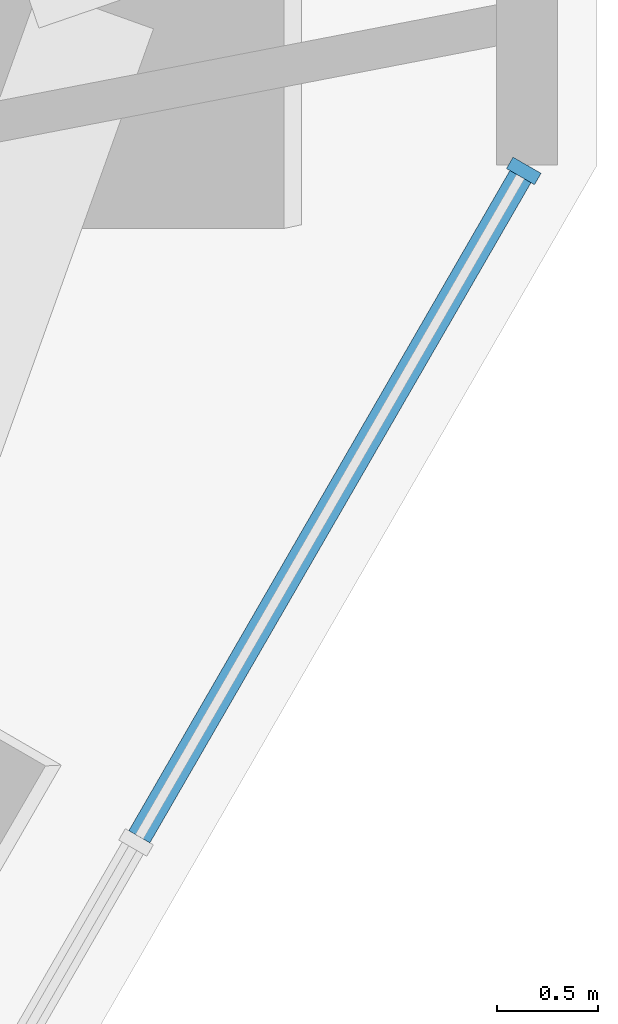
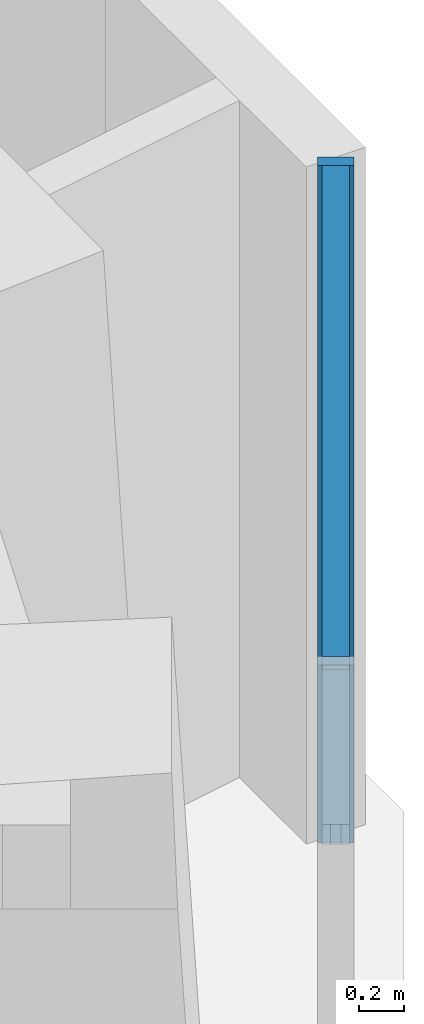
# One storey, part 6 of 17: 2 members, 1 element without a shape of its own.
"""IFC4 building model written with IfcOpenShell, lengths in metres."""

from ifc_helpers import new_model, si_unit, direction, frame, origin, origin_2d, place, context, subcontext, project, spatial, rectangle, extrude, material, material_profile, profile_set, type_object, element, aggregate, save


model = new_model("IFC4")

# Units and contexts
model_context = context("Model", 3, precision=1e-05, world=origin(), true_north=direction((0.0, 1.0)))
body_context = subcontext(model_context, "Body", "Model", "MODEL_VIEW")
ifc_project = project(units=[si_unit("LENGTHUNIT", "METRE"), si_unit("AREAUNIT", "SQUARE_METRE"), si_unit("VOLUMEUNIT", "CUBIC_METRE"), si_unit("PLANEANGLEUNIT", "RADIAN"), si_unit("MASSUNIT", "GRAM", prefix="KILO")], contexts=[model_context])

# Site, building, storey
site_placement = place(None, origin())
site = spatial("IfcSite", under=ifc_project, at=site_placement, CompositionType="ELEMENT")
building_placement = place(site_placement, origin())
building = spatial("IfcBuilding", under=site, at=building_placement, Name="Sandreach Pilgrim Tower", CompositionType="ELEMENT")
storey_placement = place(building_placement, frame((0.0, 0.0, 232.60009765625)))
storey = spatial("IfcBuildingStorey", under=building, at=storey_placement, Name="L58", CompositionType="ELEMENT", Elevation=232.60009765625)

# Curtain wall, members
ifc_material_1 = material(Name="Aluminium framed curtain wall", Category="aluminium")
curtain_wall_type = type_object("IfcCurtainWallType", Name="Upper hotel tower curtain wall", PredefinedType="NOTDEFINED", material=ifc_material_1)
curtain_wall_placement = place(storey_placement, origin())
curtain_wall = element("IfcCurtainWall", 1, at=curtain_wall_placement, inside=storey, type_object=curtain_wall_type, Name="CW-3 L58 SE", PredefinedType="NOTDEFINED")
ifc_material_2 = material(Name="Aluminium extrusion", Category="aluminium")
ifc_material_profile_1 = material_profile(ifc_material_2, rectangle(XDim=0.06494140625, YDim=0.159912109375, at=origin_2d()), Name="CW-3M 65X160")
ifc_profile_set_1 = profile_set([ifc_material_profile_1], Name="Aluminium extrusion")
member_type_1 = type_object("IfcMemberType", Name="CW-3 mullion", PredefinedType="MULLION", material=ifc_profile_set_1)
member_1_placement = place(storey_placement, frame((27.00390625, 4.451904296875, 0.0), z_axis=(0.0, 0.0, 1.0), x_axis=(-0.5, -0.866025403784, 0.0)))
member_1 = element("IfcMember", 2, at=member_1_placement, type_object=member_type_1, Name="CW-3 mullion 1", PredefinedType="MULLION", context=body_context, shape_type="SweptSolid", body=[
    extrude(rectangle(XDim=0.06494140625, YDim=0.159912109375, at=origin_2d()), origin(), (0.0, 0.0, 1.0), 3.639892578125),
])
ifc_material_3 = material(Name="Aluminium extrusion", Category="aluminium")
ifc_material_profile_2 = material_profile(ifc_material_3, rectangle(XDim=0.1201171875, YDim=0.070068359375, at=origin_2d()), Name="CW-3T 120X70")
ifc_profile_set_2 = profile_set([ifc_material_profile_2], Name="Aluminium extrusion")
member_type_2 = type_object("IfcMemberType", Name="CW-3 transom", PredefinedType="USERDEFINED", material=ifc_profile_set_2)
member_2_placement = place(storey_placement, frame((26.987548828125, 4.423828125, 3.60498046875), z_axis=(-0.499944992379, -0.86605716012, 0.0), x_axis=(0.86605716012, -0.499944992379, 0.0)))
member_2 = element("IfcMember", 3, at=member_2_placement, type_object=member_type_2, Name="CW-3 head transom 1", ObjectType="TRANSOM", PredefinedType="USERDEFINED", context=body_context, shape_type="SweptSolid", body=[
    extrude(rectangle(XDim=0.1201171875, YDim=0.070068359375, at=origin_2d()), origin(), (0.0, 0.0, 1.0), 3.76708984375),
])
aggregate(curtain_wall, [member_1, member_2])

save(model, "model.ifc")
